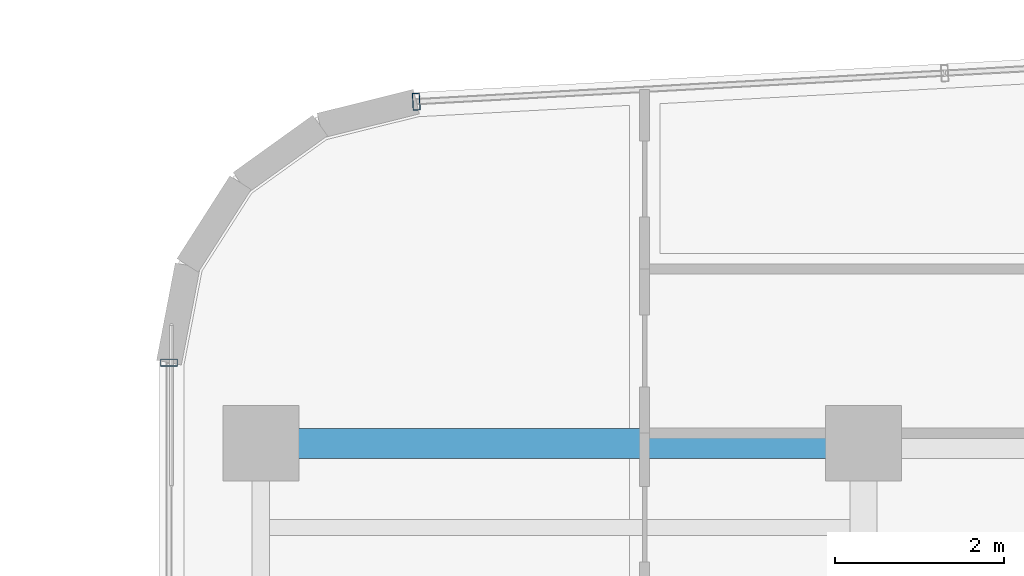
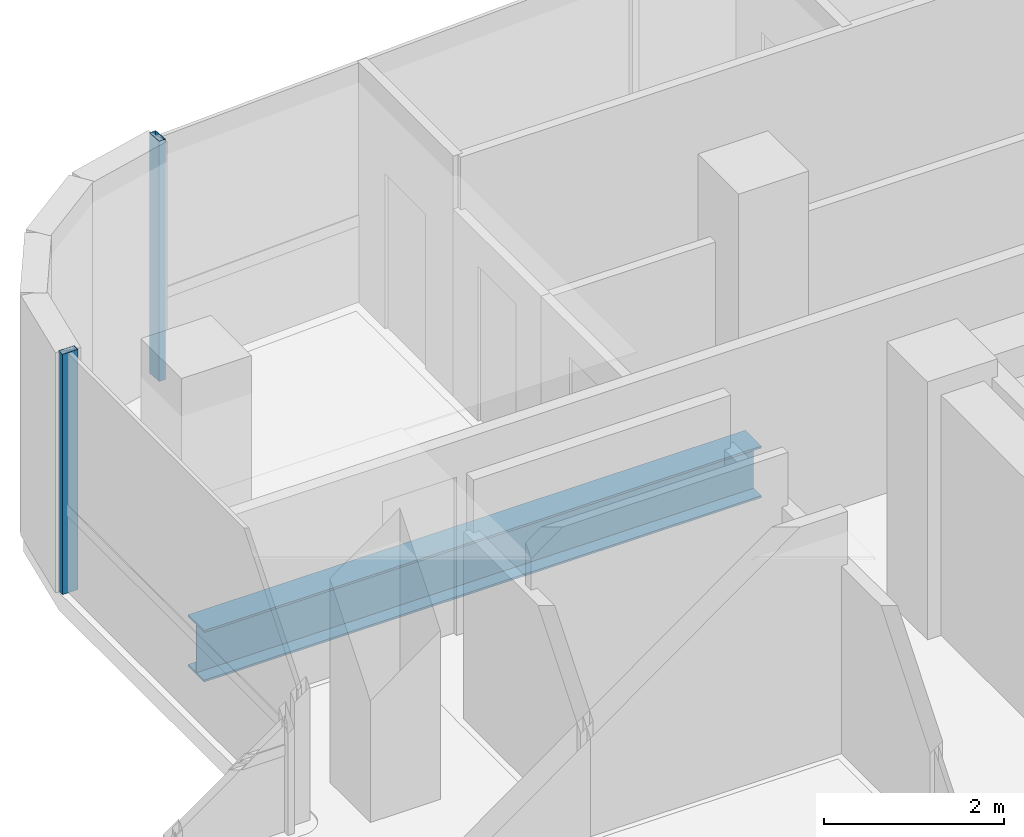
# One storey, part 11 of 22: 2 members, 1 beam, 2 elements without a shape of their own.
"""IFC4 building model written with IfcOpenShell, lengths in metres."""

from ifc_helpers import new_model, si_unit, direction, frame, origin, origin_2d, place, context, subcontext, project, spatial, hollow_rectangle, i_section, extrude, source, transform, mapped, material, material_profile, profile_set, type_object, element, aggregate, save


model = new_model("IFC4")

# Units and contexts
model_context = context("Model", 3, precision=1e-05, world=origin(), true_north=direction((0.0, 1.0)))
body_context = subcontext(model_context, "Body", "Model", "MODEL_VIEW")
ifc_project = project(units=[si_unit("LENGTHUNIT", "METRE"), si_unit("AREAUNIT", "SQUARE_METRE"), si_unit("VOLUMEUNIT", "CUBIC_METRE"), si_unit("PLANEANGLEUNIT", "RADIAN"), si_unit("MASSUNIT", "GRAM", prefix="KILO")], contexts=[model_context])

# Site, building, storey
site_placement = place(None, origin())
site = spatial("IfcSite", under=ifc_project, at=site_placement, CompositionType="ELEMENT")
building_placement = place(site_placement, origin())
building = spatial("IfcBuilding", under=site, at=building_placement, Name="Valdorenza Pilgrim Sanctuary Tower", CompositionType="ELEMENT")
storey_placement = place(building_placement, frame((0.0, 0.0, 209.0)))
storey = spatial("IfcBuildingStorey", under=building, at=storey_placement, Name="L53", CompositionType="ELEMENT", Elevation=209.0)

# Beam
ifc_material_1 = material(Name="Steel ASTM A992 Grade 50", Category="steel")
ifc_material_profile_1 = material_profile(ifc_material_1, i_section(OverallWidth=0.35595703125, OverallDepth=0.700927734375, WebThickness=0.016845703125, FlangeThickness=0.02734375, at=origin_2d()), Name="W27X161")
ifc_profile_set_1 = profile_set([ifc_material_profile_1], Name="Steel ASTM A992 Grade 50")
beam_type = type_object("IfcBeamType", Name="STR-BM-GRD-W27", PredefinedType="BEAM", material=ifc_profile_set_1)
shared_shape_1 = source(origin(), body_context, "Body", "SweptSolid", [
    extrude(i_section(OverallWidth=0.35595703125, OverallDepth=0.700927734375, WebThickness=0.016845703125, FlangeThickness=0.02734375, at=origin_2d()), origin(), (0.0, 0.0, 1.0), 7.150146484375),
])
beam_placement = place(storey_placement, frame((-29.800048828125, 14.800048828125, -0.590576171875), z_axis=(1.0, 0.0, 0.0), x_axis=(0.0, 1.0, 0.0)))
element("IfcBeam", 1, at=beam_placement, inside=storey, type_object=beam_type, Name="L53 Floor Girder WA-XW-N2", PredefinedType="BEAM", context=body_context, shape_type="MappedRepresentation", body=[
    mapped(shared_shape_1, transform((0.0, 0.0, 0.0), x_axis=(1.0, 0.0, 0.0), y_axis=(0.0, 1.0, 0.0), z_axis=(0.0, 0.0, 1.0), scale=1.0)),
])

# Curtain wall, member
ifc_material_2 = material(Name="Curtain-wall IGU glazing", Category="glass")
curtain_wall_type = type_object("IfcCurtainWallType", Name="CW-SYS-02", PredefinedType="NOTDEFINED", material=ifc_material_2)
curtain_wall_1_placement = place(storey_placement, origin())
curtain_wall_1 = element("IfcCurtainWall", 2, at=curtain_wall_1_placement, inside=storey, type_object=curtain_wall_type, Name="L53 Curtain Wall CW-L53-1-1S2", PredefinedType="NOTDEFINED")
ifc_material_3 = material(Name="Anodised aluminium AW-6060", Category="aluminium")
ifc_material_profile_2 = material_profile(ifc_material_3, hollow_rectangle(XDim=0.0849609375, YDim=0.199951171875, WallThickness=0.0048828125, at=origin_2d()), Name="ALU-M 200x85x5")
ifc_profile_set_2 = profile_set([ifc_material_profile_2], Name="Anodised aluminium AW-6060")
member_type = type_object("IfcMemberType", Name="CW-MUL-02", PredefinedType="MULLION", material=ifc_profile_set_2)
shared_shape_2 = source(origin(), body_context, "Body", "SweptSolid", [
    extrude(hollow_rectangle(XDim=0.0849609375, YDim=0.199951171875, WallThickness=0.0048828125, at=origin_2d()), origin(), (0.0, 0.0, 1.0), 3.260009765625),
])
member_1_placement = place(storey_placement, frame((-30.889892578125, 15.757568359375, 0.0), z_axis=(0.0, 0.0, 1.0), x_axis=(0.0, 1.0, 0.0)))
member_1 = element("IfcMember", 3, at=member_1_placement, type_object=member_type, Name="CW-L53-1-1S2 Mullion 2", PredefinedType="MULLION", context=body_context, shape_type="MappedRepresentation", body=[
    mapped(shared_shape_2, transform((0.0, 0.0, 0.0), x_axis=(1.0, 0.0, 0.0), y_axis=(0.0, 1.0, 0.0), z_axis=(0.0, 0.0, 1.0), scale=1.0)),
])
aggregate(curtain_wall_1, [member_1])

curtain_wall_2_placement = place(storey_placement, origin())
curtain_wall_2 = element("IfcCurtainWall", 4, at=curtain_wall_2_placement, inside=storey, type_object=curtain_wall_type, Name="L53 Curtain Wall CW-L53-1-6", PredefinedType="NOTDEFINED")
member_2_placement = place(storey_placement, frame((-27.9560546875, 18.85400390625, 0.0), z_axis=(0.0, 0.0, 1.0), x_axis=(0.998547034311, 0.053887106711, 0.0)))
member_2 = element("IfcMember", 5, at=member_2_placement, type_object=member_type, Name="CW-L53-1-6 Mullion 1", PredefinedType="MULLION", context=body_context, shape_type="MappedRepresentation", body=[
    mapped(shared_shape_2, transform((0.0, 0.0, 0.0), x_axis=(1.0, 0.0, 0.0), y_axis=(0.0, 1.0, 0.0), z_axis=(0.0, 0.0, 1.0), scale=1.0)),
])
aggregate(curtain_wall_2, [member_2])

save(model, "model.ifc")
